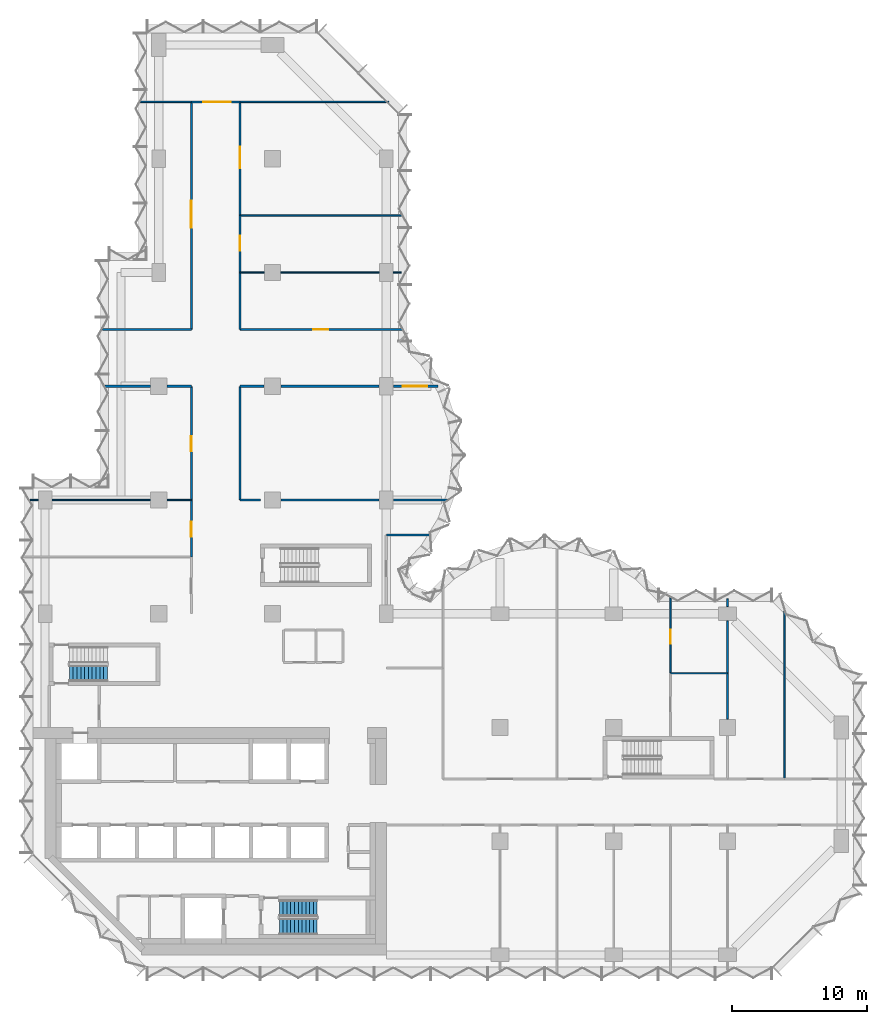
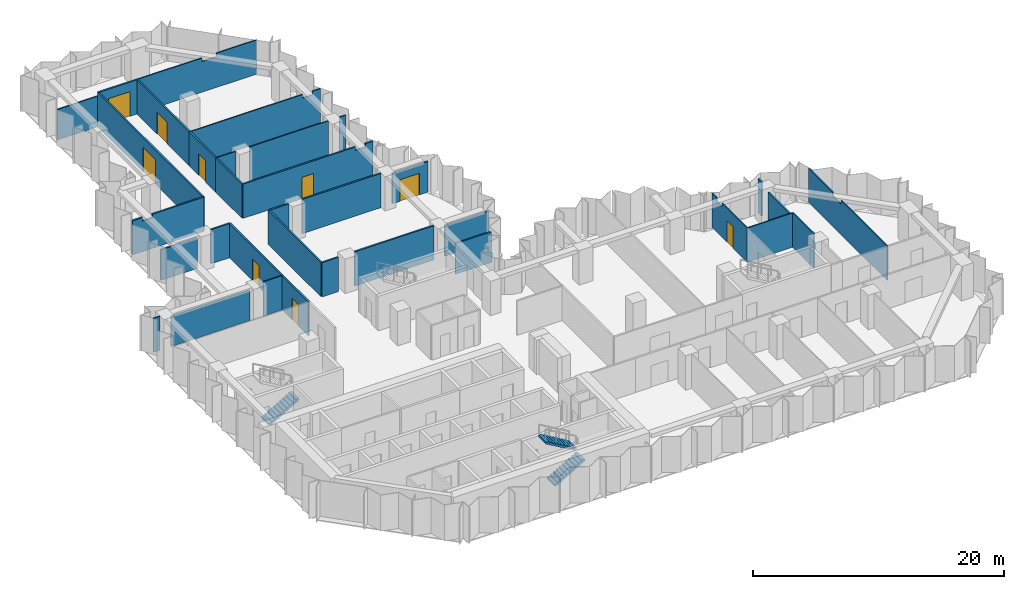
# One storey, part 8 of 11: 34 walls, 9 doors, 3 stair flights, 9 openings, 2 elements without a shape of their own.
"""IFC4 building model written with IfcOpenShell, lengths in metres."""

from ifc_helpers import new_model, si_unit, direction, frame, frame_2d, origin, place, context, subcontext, project, spatial, polyline, rectangle, outline, extrude, material, layer, layer_set, type_object, element, fill, aggregate, save


model = new_model("IFC4")

# Units and contexts
model_context = context("Model", 3, precision=1e-05, world=origin(), true_north=direction((0.0, 1.0)))
body_context = subcontext(model_context, "Body", "Model", "MODEL_VIEW")
ifc_project = project(units=[si_unit("LENGTHUNIT", "METRE"), si_unit("AREAUNIT", "SQUARE_METRE"), si_unit("VOLUMEUNIT", "CUBIC_METRE"), si_unit("PLANEANGLEUNIT", "RADIAN"), si_unit("MASSUNIT", "GRAM", prefix="KILO")], contexts=[model_context])

# Site, building, storey
site_placement = place(None, origin())
site = spatial("IfcSite", under=ifc_project, at=site_placement, CompositionType="ELEMENT")
building_placement = place(site_placement, origin())
building = spatial("IfcBuilding", under=site, at=building_placement, Name="Brevane Broadcast Tower", CompositionType="ELEMENT")
storey_placement = place(building_placement, frame((0.0, 0.0, 145.699951171875)))
storey = spatial("IfcBuildingStorey", under=building, at=storey_placement, Name="L36", CompositionType="ELEMENT", Elevation=145.699951171875)

# Wall, opening, door
ifc_material_1 = material(Name="Gypsum board partition")
ifc_layer_1 = layer(ifc_material_1, 0.10009765625)
ifc_layer_set_1 = layer_set([ifc_layer_1], Name="PARTITION 100 STUD")
wall_type_1 = type_object("IfcWallType", Name="PARTITION 100 STUD", PredefinedType="PARTITIONING", material=ifc_layer_set_1)
wall_1_placement = place(storey_placement, frame((46.199951171875, 26.3740234375, 0.0), z_axis=(0.0, 0.0, 1.0), x_axis=(0.0, -1.0, 0.0)))
wall_1 = element("IfcWall", 1, at=wall_1_placement, inside=storey, type_object=wall_type_1, Name="Partition G11-031", PredefinedType="PARTITIONING", context=body_context, shape_type="SweptSolid", body=[
    extrude(outline(polyline([(0.0, 0.0), (5.573974609375, 0.0), (5.573974609375, 3.330078125), (1.6240234375, 3.330078125), (1.6220703125, 2.97998046875), (0.72607421875, 2.97998046875), (0.72412109375, 3.330078125), (0.073974609375, 3.330078125), (0.0, 3.330078125), (0.0, 0.0)])), frame((0.0, 0.050048828125, 0.0), z_axis=(0.0, -1.0, 0.0), x_axis=(1.0, 0.0, 0.0)), (0.0, 0.0, 1.0), 0.10009765625),
])
opening_1_placement = place(wall_1_placement, frame((2.3740234375, 0.0, 0.0)))
opening_1 = element("IfcOpeningElement", 2, at=opening_1_placement, cuts=wall_1, Name="Opening D18-011", PredefinedType="OPENING", context=body_context, shape_type="SweptSolid", body=[
    extrude(rectangle(XDim=1.0, YDim=2.10009765625, at=frame_2d((0.5, 1.050048828125))), frame((0.0, 0.06005859375, 0.0), z_axis=(0.0, -1.0, 0.0), x_axis=(1.0, 0.0, 0.0)), (0.0, 0.0, 1.0), 0.1201171875),
])
ifc_material_2 = material(Name="Timber door leaf", Category="wood")
door_type_1 = type_object("IfcDoorType", Name="DOOR SINGLE 1000 INTERNAL", OperationType="SINGLE_SWING_LEFT", PredefinedType="DOOR", material=ifc_material_2)
door_1_placement = place(opening_1_placement, origin())
door_1 = element("IfcDoor", 3, at=door_1_placement, inside=storey, type_object=door_type_1, Name="Door D18-011", OperationType="SINGLE_SWING_LEFT", OverallHeight=2.10009765625, OverallWidth=1.0, PredefinedType="DOOR", context=body_context, shape_type="SweptSolid", body=[
    extrude(rectangle(XDim=1.0, YDim=2.10009765625, at=frame_2d((0.5, 1.050048828125))), frame((0.0, 0.02490234375, 0.0), z_axis=(0.0, -1.0, 0.0), x_axis=(1.0, 0.0, 0.0)), (0.0, 0.0, 1.0), 0.050048828125),
])
fill(opening_1, door_1)

# Walls
wall_2_placement = place(storey_placement, frame((46.199951171875, 20.800048828125, 0.0), z_axis=(0.0, 0.0, 1.0), x_axis=(1.0, 0.0, 0.0)))
element("IfcWall", 4, at=wall_2_placement, inside=storey, type_object=wall_type_1, Name="Partition G11-032", PredefinedType="PARTITIONING", context=body_context, shape_type="SweptSolid", body=[
    extrude(rectangle(XDim=4.199951171875, YDim=0.10009765625, at=frame_2d((2.10009765625, 0.0))), origin(), (0.0, 0.0, 1.0), 3.330078125),
])
wall_3_placement = place(storey_placement, frame((54.60009765625, 25.50244140625, 0.0), z_axis=(0.0, 0.0, 1.0), x_axis=(0.0, -1.0, 0.0)))
element("IfcWall", 5, at=wall_3_placement, inside=storey, type_object=wall_type_1, Name="Partition G11-037", PredefinedType="PARTITIONING", context=body_context, shape_type="SweptSolid", body=[
    extrude(outline(polyline([(0.0, 0.0), (12.50244140625, 0.0), (12.50244140625, 3.330078125), (5.168212890625, 3.330078125), (5.166259765625, 2.97998046875), (3.8388671875, 2.97998046875), (3.8369140625, 3.330078125), (0.1025390625, 3.330078125), (0.0, 3.330078125), (0.0, 0.0)])), frame((0.0, 0.050048828125, 0.0), z_axis=(0.0, -1.0, 0.0), x_axis=(1.0, 0.0, 0.0)), (0.0, 0.0, 1.0), 0.10009765625),
])
wall_4_placement = place(storey_placement, frame((10.800048828125, 63.0, 0.0), z_axis=(0.0, 0.0, 1.0), x_axis=(-1.0, 0.0, 0.0)))
element("IfcWall", 6, at=wall_4_placement, inside=storey, type_object=wall_type_1, Name="Partition G11-050", PredefinedType="PARTITIONING", context=body_context, shape_type="SweptSolid", body=[
    extrude(rectangle(XDim=3.76513671875, YDim=0.10009765625, at=frame_2d((1.882568359375, 0.0))), origin(), (0.0, 0.0, 1.0), 2.97998046875),
])
wall_5_placement = place(storey_placement, frame((25.39990234375, 63.0, 0.0), z_axis=(0.0, 0.0, 1.0), x_axis=(-1.0, 0.0, 0.0)))
element("IfcWall", 7, at=wall_5_placement, inside=storey, type_object=wall_type_1, Name="Partition G11-051", PredefinedType="PARTITIONING", context=body_context, shape_type="SweptSolid", body=[
    extrude(outline(polyline([(0.0, 0.0), (11.0, 0.0), (11.0, 3.330078125), (5.065673828125, 3.330078125), (5.063720703125, 2.97998046875), (3.736328125, 2.97998046875), (3.734375, 3.330078125), (0.0, 3.330078125), (0.0, 0.0)])), frame((0.0, 0.050048828125, 0.0), z_axis=(0.0, -1.0, 0.0), x_axis=(1.0, 0.0, 0.0)), (0.0, 0.0, 1.0), 0.10009765625),
])
wall_6_placement = place(storey_placement, frame((-1.10009765625, 33.60009765625, 0.0), z_axis=(0.0, 0.0, 1.0), x_axis=(1.0, 0.0, 0.0)))
element("IfcWall", 8, at=wall_6_placement, inside=storey, type_object=wall_type_1, Name="Partition G11-056", PredefinedType="PARTITIONING", context=body_context, shape_type="SweptSolid", body=[
    extrude(rectangle(XDim=0.580078125, YDim=0.10009765625, at=frame_2d((0.2900390625, 0.0))), origin(), (0.0, 0.0, 1.0), 3.330078125),
])
wall_7_placement = place(storey_placement, frame((0.52001953125, 33.60009765625, 0.0), z_axis=(0.0, 0.0, 1.0), x_axis=(1.0, 0.0, 0.0)))
element("IfcWall", 9, at=wall_7_placement, inside=storey, type_object=wall_type_1, Name="Partition G11-057", PredefinedType="PARTITIONING", context=body_context, shape_type="SweptSolid", body=[
    extrude(outline(polyline([(0.0, 0.0), (7.260009765625, 0.0), (7.260009765625, 2.97998046875), (0.0, 2.97998046875), (0.0, 0.0)])), frame((0.0, 0.050048828125, 0.0), z_axis=(0.0, -1.0, 0.0), x_axis=(1.0, 0.0, 0.0)), (0.0, 0.0, 1.0), 0.10009765625),
])
for number, where, z_axis, x_axis, name in (
    (10, (9.02001953125, 33.60009765625, 0.0), (0.0, 0.0, 1.0), (1.0, 0.0, 0.0), "Partition G11-058"),
    (11, (14.39990234375, 50.39990234375, 0.0), (0.0, 0.0, 1.0), (1.0, 0.0, 0.0), "Partition G11-063"),
):
    element("IfcWall", number, at=place(storey_placement, frame(where, z_axis=z_axis, x_axis=x_axis)), inside=storey, type_object=wall_type_1, Name=name, PredefinedType="PARTITIONING", context=body_context, shape_type="SweptSolid", body=[
        extrude(rectangle(XDim=1.780029296875, YDim=0.10009765625, at=frame_2d((0.89013671875, 0.0))), origin(), (0.0, 0.0, 1.0), 3.330078125),
    ])
wall_8_placement = place(storey_placement, frame((17.419921875, 50.39990234375, 0.0), z_axis=(0.0, 0.0, 1.0), x_axis=(1.0, 0.0, 0.0)))
element("IfcWall", 12, at=wall_8_placement, inside=storey, type_object=wall_type_1, Name="Partition G11-064", PredefinedType="PARTITIONING", context=body_context, shape_type="SweptSolid", body=[
    extrude(rectangle(XDim=7.260009765625, YDim=0.10009765625, at=frame_2d((3.6298828125, 0.0))), origin(), (0.0, 0.0, 1.0), 3.330078125),
])
wall_9_placement = place(storey_placement, frame((25.719970703125, 50.39990234375, 0.0), z_axis=(0.0, 0.0, 1.0), x_axis=(1.0, 0.0, 0.0)))
element("IfcWall", 13, at=wall_9_placement, inside=storey, type_object=wall_type_1, Name="Partition G11-065", PredefinedType="PARTITIONING", context=body_context, shape_type="SweptSolid", body=[
    extrude(rectangle(XDim=0.580078125, YDim=0.10009765625, at=frame_2d((0.2900390625, 0.0))), origin(), (0.0, 0.0, 1.0), 3.330078125),
])
wall_10_placement = place(storey_placement, frame((14.39990234375, 54.60009765625, 0.0), z_axis=(0.0, 0.0, 1.0), x_axis=(1.0, 0.0, 0.0)))
element("IfcWall", 14, at=wall_10_placement, inside=storey, type_object=wall_type_1, Name="Partition G11-066", PredefinedType="PARTITIONING", context=body_context, shape_type="SweptSolid", body=[
    extrude(outline(polyline([(0.0, 0.0), (11.97412109375, 0.0), (11.97412109375, 3.330078125), (11.89990234375, 3.330078125), (11.25, 3.330078125), (11.248046875, 2.97998046875), (10.35205078125, 2.97998046875), (10.35009765625, 3.330078125), (0.0, 3.330078125), (0.0, 0.0)])), frame((0.0, 0.050048828125, 0.0), z_axis=(0.0, -1.0, 0.0), x_axis=(1.0, 0.0, 0.0)), (0.0, 0.0, 1.0), 0.10009765625),
])
ifc_layer_2 = layer(ifc_material_1, 0.125)
ifc_layer_set_2 = layer_set([ifc_layer_2], Name="PARTITION 125 ACOUSTIC")
wall_type_2 = type_object("IfcWallType", Name="PARTITION 125 ACOUSTIC", PredefinedType="PARTITIONING", material=ifc_layer_set_2)
wall_11_placement = place(storey_placement, frame((50.39990234375, 20.800048828125, 0.0), z_axis=(0.0, 0.0, 1.0), x_axis=(0.0, -1.0, 0.0)))
element("IfcWall", 15, at=wall_11_placement, inside=storey, type_object=wall_type_2, Name="Partition G11-033", PredefinedType="PARTITIONING", context=body_context, shape_type="SweptSolid", body=[
    extrude(rectangle(XDim=3.380126953125, YDim=0.125, at=frame_2d((1.68994140625, 0.0))), origin(), (0.0, 0.0, 1.0), 3.330078125),
])
wall_12_placement = place(storey_placement, frame((50.39990234375, 26.300048828125, 0.0), z_axis=(0.0, 0.0, 1.0), x_axis=(0.0, -1.0, 0.0)))
element("IfcWall", 16, at=wall_12_placement, inside=storey, type_object=wall_type_2, Name="Partition G11-035", PredefinedType="PARTITIONING", context=body_context, shape_type="SweptSolid", body=[
    extrude(rectangle(XDim=0.580078125, YDim=0.125, at=frame_2d((0.2900390625, 0.0))), origin(), (0.0, 0.0, 1.0), 3.330078125),
])
wall_13_placement = place(storey_placement, frame((50.39990234375, 24.679931640625, 0.0), z_axis=(0.0, 0.0, 1.0), x_axis=(0.0, -1.0, 0.0)))
element("IfcWall", 17, at=wall_13_placement, inside=storey, type_object=wall_type_2, Name="Partition G11-036", PredefinedType="PARTITIONING", context=body_context, shape_type="SweptSolid", body=[
    extrude(rectangle(XDim=3.8798828125, YDim=0.125, at=frame_2d((1.93994140625, 0.0))), origin(), (0.0, 0.0, 1.0), 2.97998046875),
])
ifc_layer_3 = layer(ifc_material_1, 0.14990234375)
ifc_layer_set_3 = layer_set([ifc_layer_3], Name="PARTITION 150 EI 60")
wall_type_3 = type_object("IfcWallType", Name="PARTITION 150 EI 60", PredefinedType="PARTITIONING", material=ifc_layer_set_3)
wall_14_placement = place(storey_placement, frame((25.199951171875, 31.0, 0.0), z_axis=(0.0, 0.0, 1.0), x_axis=(1.0, 0.0, 0.0)))
element("IfcWall", 18, at=wall_14_placement, inside=storey, type_object=wall_type_3, Name="Partition G11-006", PredefinedType="PARTITIONING", context=body_context, shape_type="SweptSolid", body=[
    extrude(rectangle(XDim=3.32421875, YDim=0.14990234375, at=frame_2d((1.662109375, 0.0))), origin(), (0.0, 0.0, 1.0), 2.97998046875),
])

# Wall, opening, door
wall_15_placement = place(storey_placement, frame((10.800048828125, 29.39990234375, 0.0), z_axis=(0.0, 0.0, 1.0), x_axis=(0.0, 1.0, 0.0)))
wall_15 = element("IfcWall", 19, at=wall_15_placement, inside=storey, type_object=wall_type_3, Name="Partition G11-039", PredefinedType="PARTITIONING", context=body_context, shape_type="SweptSolid", body=[
    extrude(rectangle(XDim=4.2001953125, YDim=0.14990234375, at=frame_2d((2.10009765625, 0.0))), origin(), (0.0, 0.0, 1.0), 3.330078125),
])
opening_2_placement = place(wall_15_placement, frame((1.5, 0.0, 0.0)))
opening_2 = element("IfcOpeningElement", 20, at=opening_2_placement, cuts=wall_15, Name="Opening D18-016", PredefinedType="OPENING", context=body_context, shape_type="SweptSolid", body=[
    extrude(rectangle(XDim=1.10009765625, YDim=2.10009765625, at=frame_2d((0.550048828125, 1.050048828125))), frame((0.0, 0.0849609375, 0.0), z_axis=(0.0, -1.0, 0.0), x_axis=(1.0, 0.0, 0.0)), (0.0, 0.0, 1.0), 0.169921875),
])
ifc_material_3 = material(Name="Fire-rated timber door leaf", Category="wood")
door_type_2 = type_object("IfcDoorType", Name="DOOR SINGLE 1100 FD30S", OperationType="SINGLE_SWING_LEFT", PredefinedType="DOOR", material=ifc_material_3)
door_2_placement = place(opening_2_placement, origin())
door_2 = element("IfcDoor", 21, at=door_2_placement, inside=storey, type_object=door_type_2, Name="Door D18-016", OperationType="SINGLE_SWING_LEFT", OverallHeight=2.10009765625, OverallWidth=1.10009765625, PredefinedType="DOOR", context=body_context, shape_type="SweptSolid", body=[
    extrude(rectangle(XDim=1.10009765625, YDim=2.10009765625, at=frame_2d((0.550048828125, 1.050048828125))), frame((0.0, 0.02490234375, 0.0), z_axis=(0.0, -1.0, 0.0), x_axis=(1.0, 0.0, 0.0)), (0.0, 0.0, 1.0), 0.050048828125),
])
fill(opening_2, door_2)

# Walls
wall_16_placement = place(storey_placement, frame((14.39990234375, 33.60009765625, 0.0), z_axis=(0.0, 0.0, 1.0), x_axis=(1.0, 0.0, 0.0)))
element("IfcWall", 22, at=wall_16_placement, inside=storey, type_object=wall_type_3, Name="Partition G11-040", PredefinedType="PARTITIONING", context=body_context, shape_type="SweptSolid", body=[
    extrude(rectangle(XDim=1.5, YDim=0.14990234375, at=frame_2d((0.75, 0.0))), origin(), (0.0, 0.0, 1.0), 3.330078125),
])
wall_17_placement = place(storey_placement, frame((17.419921875, 33.60009765625, 0.0), z_axis=(0.0, 0.0, 1.0), x_axis=(1.0, 0.0, 0.0)))
element("IfcWall", 23, at=wall_17_placement, inside=storey, type_object=wall_type_3, Name="Partition G11-041", PredefinedType="PARTITIONING", context=body_context, shape_type="SweptSolid", body=[
    extrude(rectangle(XDim=7.260009765625, YDim=0.14990234375, at=frame_2d((3.6298828125, 0.0))), origin(), (0.0, 0.0, 1.0), 3.330078125),
])
wall_18_placement = place(storey_placement, frame((25.719970703125, 33.60009765625, 0.0), z_axis=(0.0, 0.0, 1.0), x_axis=(1.0, 0.0, 0.0)))
element("IfcWall", 24, at=wall_18_placement, inside=storey, type_object=wall_type_3, Name="Partition G11-042", PredefinedType="PARTITIONING", context=body_context, shape_type="SweptSolid", body=[
    extrude(rectangle(XDim=4.0419921875, YDim=0.14990234375, at=frame_2d((2.02099609375, 0.0))), origin(), (0.0, 0.0, 1.0), 2.97998046875),
])

# Wall, opening, door
wall_19_placement = place(storey_placement, frame((10.800048828125, 63.0, 0.0), z_axis=(0.0, 0.0, 1.0), x_axis=(1.0, 0.0, 0.0)))
wall_19 = element("IfcWall", 25, at=wall_19_placement, inside=storey, type_object=wall_type_3, Name="Partition G11-043", PredefinedType="PARTITIONING", context=body_context, shape_type="SweptSolid", body=[
    extrude(rectangle(XDim=3.599853515625, YDim=0.14990234375, at=frame_2d((1.7998046875, 0.0))), origin(), (0.0, 0.0, 1.0), 3.330078125),
])
opening_3_placement = place(wall_19_placement, frame((0.89990234375, 0.0, 0.0)))
opening_3 = element("IfcOpeningElement", 26, at=opening_3_placement, cuts=wall_19, Name="Opening D18-014", PredefinedType="OPENING", context=body_context, shape_type="SweptSolid", body=[
    extrude(rectangle(XDim=2.0, YDim=2.39990234375, at=frame_2d((1.0, 1.199951171875))), frame((0.0, 0.0849609375, 0.0), z_axis=(0.0, -1.0, 0.0), x_axis=(1.0, 0.0, 0.0)), (0.0, 0.0, 1.0), 0.169921875),
])
door_type_3 = type_object("IfcDoorType", Name="DOOR DOUBLE 2000 FD30S", OperationType="DOUBLE_DOOR_SINGLE_SWING", PredefinedType="DOOR", material=ifc_material_3)
door_3_placement = place(opening_3_placement, origin())
door_3 = element("IfcDoor", 27, at=door_3_placement, inside=storey, type_object=door_type_3, Name="Door D18-014", OperationType="DOUBLE_DOOR_SINGLE_SWING", OverallHeight=2.39990234375, OverallWidth=2.0, PredefinedType="DOOR", context=body_context, shape_type="SweptSolid", body=[
    extrude(rectangle(XDim=2.0, YDim=2.39990234375, at=frame_2d((1.0, 1.199951171875))), frame((0.0, 0.02490234375, 0.0), z_axis=(0.0, -1.0, 0.0), x_axis=(1.0, 0.0, 0.0)), (0.0, 0.0, 1.0), 0.050048828125),
])
fill(opening_3, door_3)

wall_20_placement = place(storey_placement, frame((10.800048828125, 33.60009765625, 0.0), z_axis=(0.0, 0.0, 1.0), x_axis=(0.0, 1.0, 0.0)))
wall_20 = element("IfcWall", 28, at=wall_20_placement, inside=storey, type_object=wall_type_3, Name="Partition G11-044", PredefinedType="PARTITIONING", context=body_context, shape_type="SweptSolid", body=[
    extrude(rectangle(XDim=8.39990234375, YDim=0.14990234375, at=frame_2d((4.199951171875, 0.0))), origin(), (0.0, 0.0, 1.0), 3.330078125),
])
opening_4_placement = place(wall_20_placement, frame((3.60009765625, 0.0, 0.0)))
opening_4 = element("IfcOpeningElement", 29, at=opening_4_placement, cuts=wall_20, Name="Opening D18-017", PredefinedType="OPENING", context=body_context, shape_type="SweptSolid", body=[
    extrude(rectangle(XDim=1.10009765625, YDim=2.10009765625, at=frame_2d((0.550048828125, 1.050048828125))), frame((0.0, 0.0849609375, 0.0), z_axis=(0.0, -1.0, 0.0), x_axis=(1.0, 0.0, 0.0)), (0.0, 0.0, 1.0), 0.169921875),
])
door_4_placement = place(opening_4_placement, origin())
door_4 = element("IfcDoor", 30, at=door_4_placement, inside=storey, type_object=door_type_2, Name="Door D18-017", OperationType="SINGLE_SWING_LEFT", OverallHeight=2.10009765625, OverallWidth=1.10009765625, PredefinedType="DOOR", context=body_context, shape_type="SweptSolid", body=[
    extrude(rectangle(XDim=1.10009765625, YDim=2.10009765625, at=frame_2d((0.550048828125, 1.050048828125))), frame((0.0, 0.02490234375, 0.0), z_axis=(0.0, -1.0, 0.0), x_axis=(1.0, 0.0, 0.0)), (0.0, 0.0, 1.0), 0.050048828125),
])
fill(opening_4, door_4)

wall_21_placement = place(storey_placement, frame((10.800048828125, 46.199951171875, 0.0), z_axis=(0.0, 0.0, 1.0), x_axis=(0.0, 1.0, 0.0)))
wall_21 = element("IfcWall", 31, at=wall_21_placement, inside=storey, type_object=wall_type_3, Name="Partition G11-045", PredefinedType="PARTITIONING", context=body_context, shape_type="SweptSolid", body=[
    extrude(rectangle(XDim=16.800048828125, YDim=0.14990234375, at=frame_2d((8.39990234375, 0.0))), origin(), (0.0, 0.0, 1.0), 3.330078125),
])
opening_5_placement = place(wall_21_placement, frame((7.5, 0.0, 0.0)))
opening_5 = element("IfcOpeningElement", 32, at=opening_5_placement, cuts=wall_21, Name="Opening D18-018", PredefinedType="OPENING", context=body_context, shape_type="SweptSolid", body=[
    extrude(rectangle(XDim=2.0, YDim=2.39990234375, at=frame_2d((1.0, 1.199951171875))), frame((0.0, 0.0849609375, 0.0), z_axis=(0.0, -1.0, 0.0), x_axis=(1.0, 0.0, 0.0)), (0.0, 0.0, 1.0), 0.169921875),
])
door_5_placement = place(opening_5_placement, origin())
door_5 = element("IfcDoor", 33, at=door_5_placement, inside=storey, type_object=door_type_3, Name="Door D18-018", OperationType="DOUBLE_DOOR_SINGLE_SWING", OverallHeight=2.39990234375, OverallWidth=2.0, PredefinedType="DOOR", context=body_context, shape_type="SweptSolid", body=[
    extrude(rectangle(XDim=2.0, YDim=2.39990234375, at=frame_2d((1.0, 1.199951171875))), frame((0.0, 0.02490234375, 0.0), z_axis=(0.0, -1.0, 0.0), x_axis=(1.0, 0.0, 0.0)), (0.0, 0.0, 1.0), 0.050048828125),
])
fill(opening_5, door_5)

# Walls
wall_22_placement = place(storey_placement, frame((14.39990234375, 42.0, 0.0), z_axis=(0.0, 0.0, 1.0), x_axis=(0.0, -1.0, 0.0)))
element("IfcWall", 34, at=wall_22_placement, inside=storey, type_object=wall_type_3, Name="Partition G11-046", PredefinedType="PARTITIONING", context=body_context, shape_type="SweptSolid", body=[
    extrude(rectangle(XDim=8.39990234375, YDim=0.14990234375, at=frame_2d((4.199951171875, 0.0))), origin(), (0.0, 0.0, 1.0), 3.330078125),
])
wall_23_placement = place(storey_placement, frame((14.39990234375, 50.39990234375, 0.0), z_axis=(0.0, 0.0, 1.0), x_axis=(0.0, -1.0, 0.0)))
element("IfcWall", 35, at=wall_23_placement, inside=storey, type_object=wall_type_3, Name="Partition G11-047", PredefinedType="PARTITIONING", context=body_context, shape_type="SweptSolid", body=[
    extrude(rectangle(XDim=4.199951171875, YDim=0.14990234375, at=frame_2d((2.10009765625, 0.0))), origin(), (0.0, 0.0, 1.0), 3.330078125),
])

# Wall, opening, door
wall_24_placement = place(storey_placement, frame((14.39990234375, 54.60009765625, 0.0), z_axis=(0.0, 0.0, 1.0), x_axis=(0.0, -1.0, 0.0)))
wall_24 = element("IfcWall", 36, at=wall_24_placement, inside=storey, type_object=wall_type_3, Name="Partition G11-048", PredefinedType="PARTITIONING", context=body_context, shape_type="SweptSolid", body=[
    extrude(rectangle(XDim=4.2001953125, YDim=0.14990234375, at=frame_2d((2.10009765625, 0.0))), origin(), (0.0, 0.0, 1.0), 3.330078125),
])
opening_6_placement = place(wall_24_placement, frame((1.5, 0.0, 0.0)))
opening_6 = element("IfcOpeningElement", 37, at=opening_6_placement, cuts=wall_24, Name="Opening D18-021", PredefinedType="OPENING", context=body_context, shape_type="SweptSolid", body=[
    extrude(rectangle(XDim=1.10009765625, YDim=2.10009765625, at=frame_2d((0.550048828125, 1.050048828125))), frame((0.0, 0.0849609375, 0.0), z_axis=(0.0, -1.0, 0.0), x_axis=(1.0, 0.0, 0.0)), (0.0, 0.0, 1.0), 0.169921875),
])
door_6_placement = place(opening_6_placement, origin())
door_6 = element("IfcDoor", 38, at=door_6_placement, inside=storey, type_object=door_type_2, Name="Door D18-021", OperationType="SINGLE_SWING_LEFT", OverallHeight=2.10009765625, OverallWidth=1.10009765625, PredefinedType="DOOR", context=body_context, shape_type="SweptSolid", body=[
    extrude(rectangle(XDim=1.10009765625, YDim=2.10009765625, at=frame_2d((0.550048828125, 1.050048828125))), frame((0.0, 0.02490234375, 0.0), z_axis=(0.0, -1.0, 0.0), x_axis=(1.0, 0.0, 0.0)), (0.0, 0.0, 1.0), 0.050048828125),
])
fill(opening_6, door_6)

wall_25_placement = place(storey_placement, frame((14.39990234375, 63.0, 0.0), z_axis=(0.0, 0.0, 1.0), x_axis=(0.0, -1.0, 0.0)))
wall_25 = element("IfcWall", 39, at=wall_25_placement, inside=storey, type_object=wall_type_3, Name="Partition G11-049", PredefinedType="PARTITIONING", context=body_context, shape_type="SweptSolid", body=[
    extrude(rectangle(XDim=8.39990234375, YDim=0.14990234375, at=frame_2d((4.199951171875, 0.0))), origin(), (0.0, 0.0, 1.0), 3.330078125),
])
opening_7_placement = place(wall_25_placement, frame((3.300048828125, 0.0, 0.0)))
opening_7 = element("IfcOpeningElement", 40, at=opening_7_placement, cuts=wall_25, Name="Opening D18-022", PredefinedType="OPENING", context=body_context, shape_type="SweptSolid", body=[
    extrude(rectangle(XDim=1.60009765625, YDim=2.10009765625, at=frame_2d((0.800048828125, 1.050048828125))), frame((0.0, 0.0849609375, 0.0), z_axis=(0.0, -1.0, 0.0), x_axis=(1.0, 0.0, 0.0)), (0.0, 0.0, 1.0), 0.169921875),
])
door_type_4 = type_object("IfcDoorType", Name="DOOR DOUBLE 1600 FD30S", OperationType="DOUBLE_DOOR_SINGLE_SWING", PredefinedType="DOOR", material=ifc_material_3)
door_7_placement = place(opening_7_placement, origin())
door_7 = element("IfcDoor", 41, at=door_7_placement, inside=storey, type_object=door_type_4, Name="Door D18-022", OperationType="DOUBLE_DOOR_SINGLE_SWING", OverallHeight=2.10009765625, OverallWidth=1.60009765625, PredefinedType="DOOR", context=body_context, shape_type="SweptSolid", body=[
    extrude(rectangle(XDim=1.60009765625, YDim=2.10009765625, at=frame_2d((0.800048828125, 1.050048828125))), frame((0.0, 0.02490234375, 0.0), z_axis=(0.0, -1.0, 0.0), x_axis=(1.0, 0.0, 0.0)), (0.0, 0.0, 1.0), 0.050048828125),
])
fill(opening_7, door_7)

# Walls
wall_26_placement = place(storey_placement, frame((10.800048828125, 42.0, 0.0), z_axis=(0.0, 0.0, 1.0), x_axis=(-1.0, 0.0, 0.0)))
element("IfcWall", 42, at=wall_26_placement, inside=storey, type_object=wall_type_3, Name="Partition G11-052", PredefinedType="PARTITIONING", context=body_context, shape_type="SweptSolid", body=[
    extrude(rectangle(XDim=1.780029296875, YDim=0.14990234375, at=frame_2d((0.89013671875, 0.0))), origin(), (0.0, 0.0, 1.0), 3.330078125),
])
wall_27_placement = place(storey_placement, frame((7.780029296875, 42.0, 0.0), z_axis=(0.0, 0.0, 1.0), x_axis=(-1.0, 0.0, 0.0)))
element("IfcWall", 43, at=wall_27_placement, inside=storey, type_object=wall_type_3, Name="Partition G11-053", PredefinedType="PARTITIONING", context=body_context, shape_type="SweptSolid", body=[
    extrude(rectangle(XDim=3.35400390625, YDim=0.14990234375, at=frame_2d((1.677001953125, 0.0))), origin(), (0.0, 0.0, 1.0), 2.97998046875),
])
wall_28_placement = place(storey_placement, frame((4.235107421875, 46.199951171875, 0.0), z_axis=(0.0, 0.0, 1.0), x_axis=(1.0, 0.0, 0.0)))
element("IfcWall", 44, at=wall_28_placement, inside=storey, type_object=wall_type_3, Name="Partition G11-054", PredefinedType="PARTITIONING", context=body_context, shape_type="SweptSolid", body=[
    extrude(outline(polyline([(0.0, 0.0), (6.56494140625, 0.0), (6.56494140625, 3.330078125), (1.81494140625, 3.330078125), (1.81298828125, 2.97998046875), (0.9169921875, 2.97998046875), (0.9150390625, 3.330078125), (0.264892578125, 3.330078125), (0.0, 3.330078125), (0.0, 0.0)])), frame((0.0, 0.074951171875, 0.0), z_axis=(0.0, -1.0, 0.0), x_axis=(1.0, 0.0, 0.0)), (0.0, 0.0, 1.0), 0.14990234375),
])

# Wall, opening, door
wall_29_placement = place(storey_placement, frame((29.011474609375, 42.0, 0.0), z_axis=(0.0, 0.0, 1.0), x_axis=(-1.0, 0.0, 0.0)))
wall_29 = element("IfcWall", 45, at=wall_29_placement, inside=storey, type_object=wall_type_3, Name="Partition G11-059", PredefinedType="PARTITIONING", context=body_context, shape_type="SweptSolid", body=[
    extrude(rectangle(XDim=3.29150390625, YDim=0.14990234375, at=frame_2d((1.645751953125, 0.0))), origin(), (0.0, 0.0, 1.0), 2.97998046875),
])
opening_8_placement = place(wall_29_placement, frame((0.800048828125, 0.0, 0.0)))
opening_8 = element("IfcOpeningElement", 46, at=opening_8_placement, cuts=wall_29, Name="Opening D18-019", PredefinedType="OPENING", context=body_context, shape_type="SweptSolid", body=[
    extrude(rectangle(XDim=1.800048828125, YDim=2.10009765625, at=frame_2d((0.89990234375, 1.050048828125))), frame((0.0, 0.0849609375, 0.0), z_axis=(0.0, -1.0, 0.0), x_axis=(1.0, 0.0, 0.0)), (0.0, 0.0, 1.0), 0.169921875),
])
door_type_5 = type_object("IfcDoorType", Name="DOOR DOUBLE 1800 FD30S", OperationType="DOUBLE_DOOR_SINGLE_SWING", PredefinedType="DOOR", material=ifc_material_3)
door_8_placement = place(opening_8_placement, origin())
door_8 = element("IfcDoor", 47, at=door_8_placement, inside=storey, type_object=door_type_5, Name="Door D18-019", OperationType="DOUBLE_DOOR_SINGLE_SWING", OverallHeight=2.10009765625, OverallWidth=1.800048828125, PredefinedType="DOOR", context=body_context, shape_type="SweptSolid", body=[
    extrude(rectangle(XDim=1.800048828125, YDim=2.10009765625, at=frame_2d((0.89990234375, 1.050048828125))), frame((0.0, 0.02490234375, 0.0), z_axis=(0.0, -1.0, 0.0), x_axis=(1.0, 0.0, 0.0)), (0.0, 0.0, 1.0), 0.050048828125),
])
fill(opening_8, door_8)

# Walls
wall_30_placement = place(storey_placement, frame((24.679931640625, 42.0, 0.0), z_axis=(0.0, 0.0, 1.0), x_axis=(-1.0, 0.0, 0.0)))
element("IfcWall", 48, at=wall_30_placement, inside=storey, type_object=wall_type_3, Name="Partition G11-060", PredefinedType="PARTITIONING", context=body_context, shape_type="SweptSolid", body=[
    extrude(rectangle(XDim=7.260009765625, YDim=0.14990234375, at=frame_2d((3.6298828125, 0.0))), origin(), (0.0, 0.0, 1.0), 3.330078125),
])
wall_31_placement = place(storey_placement, frame((16.179931640625, 42.0, 0.0), z_axis=(0.0, 0.0, 1.0), x_axis=(-1.0, 0.0, 0.0)))
element("IfcWall", 49, at=wall_31_placement, inside=storey, type_object=wall_type_3, Name="Partition G11-061", PredefinedType="PARTITIONING", context=body_context, shape_type="SweptSolid", body=[
    extrude(rectangle(XDim=1.780029296875, YDim=0.14990234375, at=frame_2d((0.89013671875, 0.0))), origin(), (0.0, 0.0, 1.0), 3.330078125),
])

# Wall, opening, door
wall_32_placement = place(storey_placement, frame((14.39990234375, 46.199951171875, 0.0), z_axis=(0.0, 0.0, 1.0), x_axis=(1.0, 0.0, 0.0)))
wall_32 = element("IfcWall", 50, at=wall_32_placement, inside=storey, type_object=wall_type_3, Name="Partition G11-062", PredefinedType="PARTITIONING", context=body_context, shape_type="SweptSolid", body=[
    extrude(outline(polyline([(0.0, 0.0), (11.97412109375, 0.0), (11.97412109375, 3.330078125), (11.89990234375, 3.330078125), (11.25, 3.330078125), (11.248046875, 2.97998046875), (10.35205078125, 2.97998046875), (10.35009765625, 3.330078125), (0.0, 3.330078125), (0.0, 0.0)])), frame((0.0, 0.074951171875, 0.0), z_axis=(0.0, -1.0, 0.0), x_axis=(1.0, 0.0, 0.0)), (0.0, 0.0, 1.0), 0.14990234375),
])
opening_9_placement = place(wall_32_placement, frame((5.39990234375, 0.0, 0.0)))
opening_9 = element("IfcOpeningElement", 51, at=opening_9_placement, cuts=wall_32, Name="Opening D18-020", PredefinedType="OPENING", context=body_context, shape_type="SweptSolid", body=[
    extrude(rectangle(XDim=1.10009765625, YDim=2.10009765625, at=frame_2d((0.550048828125, 1.050048828125))), frame((0.0, 0.0849609375, 0.0), z_axis=(0.0, -1.0, 0.0), x_axis=(1.0, 0.0, 0.0)), (0.0, 0.0, 1.0), 0.169921875),
])
door_9_placement = place(opening_9_placement, origin())
door_9 = element("IfcDoor", 52, at=door_9_placement, inside=storey, type_object=door_type_2, Name="Door D18-020", OperationType="SINGLE_SWING_LEFT", OverallHeight=2.10009765625, OverallWidth=1.10009765625, PredefinedType="DOOR", context=body_context, shape_type="SweptSolid", body=[
    extrude(rectangle(XDim=1.10009765625, YDim=2.10009765625, at=frame_2d((0.550048828125, 1.050048828125))), frame((0.0, 0.02490234375, 0.0), z_axis=(0.0, -1.0, 0.0), x_axis=(1.0, 0.0, 0.0)), (0.0, 0.0, 1.0), 0.050048828125),
])
fill(opening_9, door_9)

# Stair, stair flight
ifc_material_4 = material(Name="Concrete C50/60", Category="concrete")
stair_type = type_object("IfcStairType", Name="Exit stair 22 risers", PredefinedType="HALF_TURN_STAIR", material=ifc_material_4)
stair_1_placement = place(storey_placement, origin())
stair_1 = element("IfcStair", 53, at=stair_1_placement, inside=storey, type_object=stair_type, Name="L36 Exit stair ST-1", PredefinedType="HALF_TURN_STAIR")
stair_flight_type = type_object("IfcStairFlightType", Name="Exit stair flight 22 risers", PredefinedType="STRAIGHT", material=ifc_material_4)
stair_flight_1_placement = place(storey_placement, frame((1.800048828125, 20.800048828125, 0.0), z_axis=(0.0, 0.0, 1.0), x_axis=(1.0, 0.0, 0.0)))
stair_flight_1 = element("IfcStairFlight", 54, at=stair_flight_1_placement, type_object=stair_flight_type, Name="ST-1 flight 1", NumberOfRisers=11, NumberOfTreads=10, PredefinedType="STRAIGHT", RiserHeight=0.163636364, TreadLength=0.28, context=body_context, shape_type="SweptSolid", body=[
    extrude(outline(polyline([(0.0, 0.0), (0.0, 0.16357421875), (0.280029296875, 0.16357421875), (0.280029296875, 0.327392578125), (0.56005859375, 0.327392578125), (0.56005859375, 0.490966796875), (0.840087890625, 0.490966796875), (0.840087890625, 0.654541015625), (1.1201171875, 0.654541015625), (1.1201171875, 0.818115234375), (1.39990234375, 0.818115234375), (1.39990234375, 0.98193359375), (1.679931640625, 0.98193359375), (1.679931640625, 1.1455078125), (1.9599609375, 1.1455078125), (1.9599609375, 1.30908203125), (2.239990234375, 1.30908203125), (2.239990234375, 1.47265625), (2.52001953125, 1.47265625), (2.52001953125, 1.636474609375), (2.800048828125, 1.636474609375), (2.800048828125, 1.800048828125), (2.800048828125, 1.462646484375), (0.297119140625, 0.0), (0.0, 0.0)])), frame((0.0, 0.60009765625, 0.0), z_axis=(0.0, -1.0, 0.0), x_axis=(1.0, 0.0, 0.0)), (0.0, 0.0, 1.0), 1.199951171875),
])
aggregate(stair_1, [stair_flight_1])

# Stair, stair flights
stair_2_placement = place(storey_placement, origin())
stair_2 = element("IfcStair", 55, at=stair_2_placement, inside=storey, type_object=stair_type, Name="L36 Exit stair ST-2", PredefinedType="HALF_TURN_STAIR")
stair_flight_2_placement = place(storey_placement, frame((17.300048828125, 2.10009765625, 0.0), z_axis=(0.0, 0.0, 1.0), x_axis=(1.0, 0.0, 0.0)))
stair_flight_2 = element("IfcStairFlight", 56, at=stair_flight_2_placement, type_object=stair_flight_type, Name="ST-2 flight 1", NumberOfRisers=11, NumberOfTreads=10, PredefinedType="STRAIGHT", RiserHeight=0.163636364, TreadLength=0.28, context=body_context, shape_type="SweptSolid", body=[
    extrude(outline(polyline([(0.0, 0.0), (0.0, 0.16357421875), (0.280029296875, 0.16357421875), (0.280029296875, 0.327392578125), (0.56005859375, 0.327392578125), (0.56005859375, 0.490966796875), (0.840087890625, 0.490966796875), (0.840087890625, 0.654541015625), (1.1201171875, 0.654541015625), (1.1201171875, 0.818115234375), (1.39990234375, 0.818115234375), (1.39990234375, 0.98193359375), (1.679931640625, 0.98193359375), (1.679931640625, 1.1455078125), (1.9599609375, 1.1455078125), (1.9599609375, 1.30908203125), (2.239990234375, 1.30908203125), (2.239990234375, 1.47265625), (2.52001953125, 1.47265625), (2.52001953125, 1.636474609375), (2.800048828125, 1.636474609375), (2.800048828125, 1.800048828125), (2.800048828125, 1.462646484375), (0.297119140625, 0.0), (0.0, 0.0)])), frame((0.0, 0.60009765625, 0.0), z_axis=(0.0, -1.0, 0.0), x_axis=(1.0, 0.0, 0.0)), (0.0, 0.0, 1.0), 1.199951171875),
])
stair_flight_3_placement = place(storey_placement, frame((20.10009765625, 3.449951171875, 1.800048828125), z_axis=(0.0, 0.0, 1.0), x_axis=(-1.0, 0.0, 0.0)))
stair_flight_3 = element("IfcStairFlight", 57, at=stair_flight_3_placement, type_object=stair_flight_type, Name="ST-2 flight 2", NumberOfRisers=11, NumberOfTreads=10, PredefinedType="STRAIGHT", RiserHeight=0.163636364, TreadLength=0.28, context=body_context, shape_type="SweptSolid", body=[
    extrude(outline(polyline([(0.0, 0.0), (0.0, 0.16357421875), (0.280029296875, 0.16357421875), (0.280029296875, 0.327392578125), (0.56005859375, 0.327392578125), (0.56005859375, 0.490966796875), (0.840087890625, 0.490966796875), (0.840087890625, 0.654541015625), (1.1201171875, 0.654541015625), (1.1201171875, 0.818115234375), (1.39990234375, 0.818115234375), (1.39990234375, 0.98193359375), (1.679931640625, 0.98193359375), (1.679931640625, 1.1455078125), (1.9599609375, 1.1455078125), (1.9599609375, 1.30908203125), (2.239990234375, 1.30908203125), (2.239990234375, 1.47265625), (2.52001953125, 1.47265625), (2.52001953125, 1.636474609375), (2.800048828125, 1.636474609375), (2.800048828125, 1.800048828125), (2.800048828125, 1.462646484375), (0.297119140625, 0.0), (0.0, 0.0)])), frame((0.0, 0.60009765625, 0.0), z_axis=(0.0, -1.0, 0.0), x_axis=(1.0, 0.0, 0.0)), (0.0, 0.0, 1.0), 1.199951171875),
])
aggregate(stair_2, [stair_flight_2, stair_flight_3])

save(model, "model.ifc")
